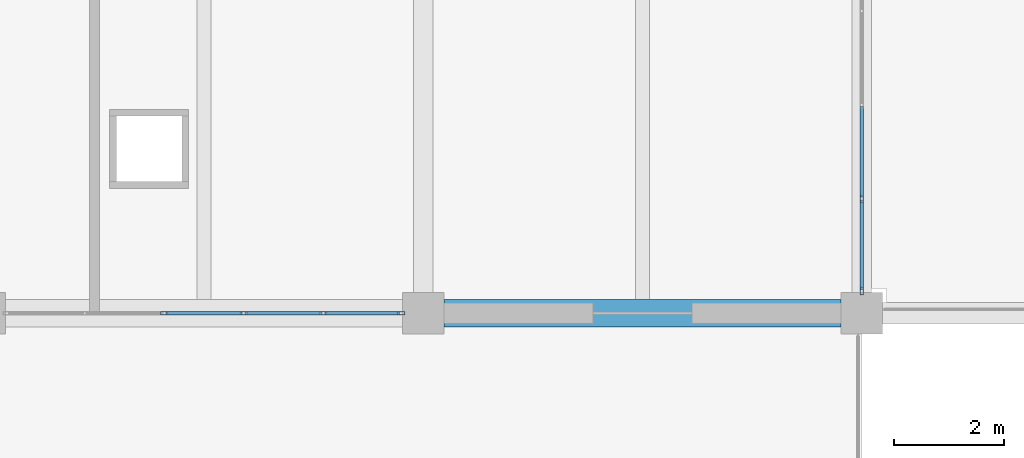
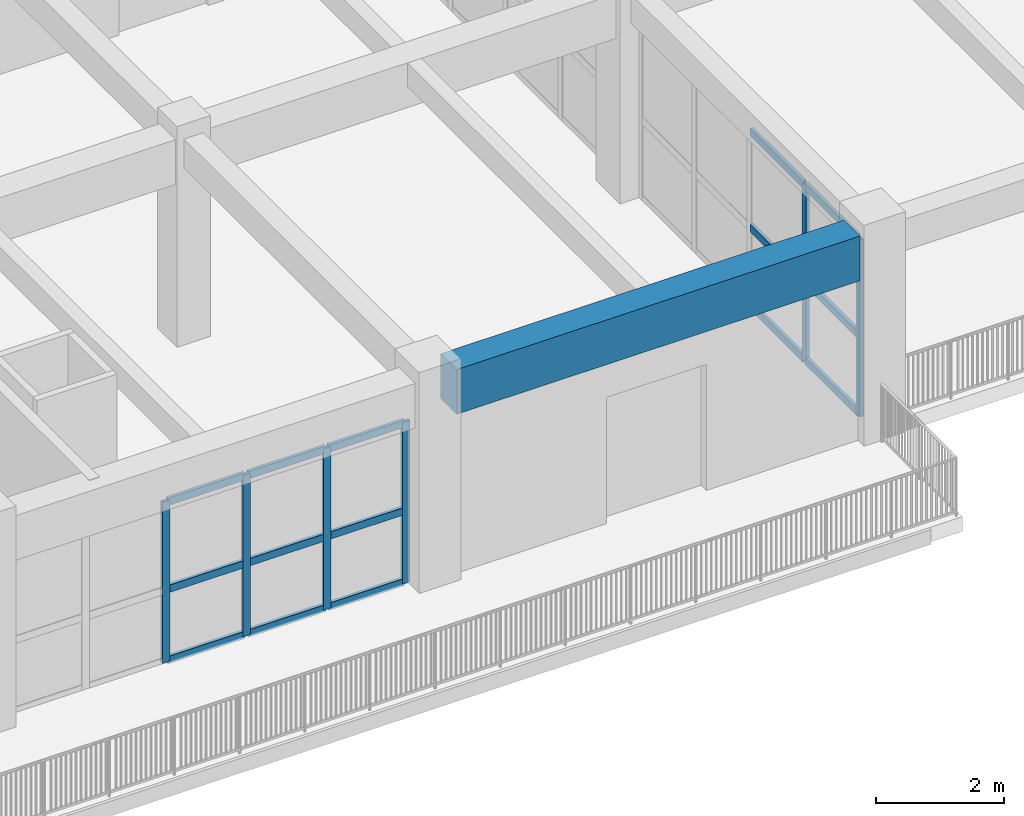
# One storey, part 17 of 63: 21 members, 1 beam, 2 elements without a shape of their own.
"""IFC4 building model written with IfcOpenShell, lengths in metres."""

from ifc_helpers import new_model, si_unit, direction, frame, origin, origin_2d, place, context, subcontext, project, spatial, rectangle, hollow_rectangle, extrude, material, material_profile, profile_set, type_object, element, aggregate, save


model = new_model("IFC4")

# Units and contexts
model_context = context("Model", 3, precision=1e-05, world=origin(), true_north=direction((0.0, 1.0)))
body_context = subcontext(model_context, "Body", "Model", "MODEL_VIEW")
ifc_project = project(units=[si_unit("LENGTHUNIT", "METRE"), si_unit("AREAUNIT", "SQUARE_METRE"), si_unit("VOLUMEUNIT", "CUBIC_METRE"), si_unit("PLANEANGLEUNIT", "RADIAN"), si_unit("MASSUNIT", "GRAM", prefix="KILO")], contexts=[model_context])

# Site, building, storey
site_placement = place(None, origin())
site = spatial("IfcSite", under=ifc_project, at=site_placement, CompositionType="ELEMENT")
building_placement = place(site_placement, origin())
building = spatial("IfcBuilding", under=site, at=building_placement, Name="Zantavel Square City Hall", CompositionType="ELEMENT")
storey_placement = place(building_placement, frame((0.0, 0.0, 14.699951171875)))
storey = spatial("IfcBuildingStorey", under=building, at=storey_placement, Name="L04", CompositionType="ELEMENT", Elevation=14.699951171875)

# Curtain wall, members
ifc_material_1 = material(Name="Anodised aluminium 6063-T6", Category="aluminium")
curtain_wall_type_1 = type_object("IfcCurtainWallType", Name="Curtain Wall TRV1 6850x3370", PredefinedType="USERDEFINED", material=ifc_material_1)
curtain_wall_1_placement = place(storey_placement, origin())
curtain_wall_1 = element("IfcCurtainWall", 1, at=curtain_wall_1_placement, inside=storey, type_object=curtain_wall_type_1, Name="L04 Glazed Curtain Wall CW-L04-114", ObjectType="GLAZED CURTAIN WALL", PredefinedType="USERDEFINED")
ifc_material_profile_1 = material_profile(ifc_material_1, hollow_rectangle(XDim=0.06005859375, YDim=0.135009765625, WallThickness=0.00390625, at=origin_2d()), Name="ALU 60x135x4")
ifc_profile_set_1 = profile_set([ifc_material_profile_1], Name="Anodised aluminium 6063-T6")
member_type_1 = type_object("IfcMemberType", Name="CW Mullion ALU 60x135x4", PredefinedType="MULLION", material=ifc_profile_set_1)
member_1_placement = place(storey_placement, frame((104.0, 32.487548828125, 0.0), z_axis=(0.0, 0.0, 1.0), x_axis=(1.0, 0.0, 0.0)))
member_1 = element("IfcMember", 2, at=member_1_placement, type_object=member_type_1, Name="CW-114 mullion 4", PredefinedType="MULLION", context=body_context, shape_type="SweptSolid", body=[
    extrude(hollow_rectangle(XDim=0.06005859375, YDim=0.135009765625, WallThickness=0.00390625, at=origin_2d()), origin(), (0.0, 0.0, 1.0), 3.3701171875),
])
member_2_placement = place(storey_placement, frame((104.0, 30.804931640625, 0.0), z_axis=(0.0, 0.0, 1.0), x_axis=(1.0, 0.0, 0.0)))
member_2 = element("IfcMember", 3, at=member_2_placement, type_object=member_type_1, Name="CW-114 mullion 5", PredefinedType="MULLION", context=body_context, shape_type="SweptSolid", body=[
    extrude(hollow_rectangle(XDim=0.06005859375, YDim=0.135009765625, WallThickness=0.00390625, at=origin_2d()), origin(), (0.0, 0.0, 1.0), 3.3701171875),
])

curtain_wall_type_2 = type_object("IfcCurtainWallType", Name="Curtain Wall TRV1 7250x3070", PredefinedType="USERDEFINED", material=ifc_material_1)
curtain_wall_2_placement = place(storey_placement, origin())
curtain_wall_2 = element("IfcCurtainWall", 4, at=curtain_wall_2_placement, inside=storey, type_object=curtain_wall_type_2, Name="L04 Glazed Curtain Wall CW-L04-115", ObjectType="GLAZED CURTAIN WALL", PredefinedType="USERDEFINED")
member_3_placement = place(storey_placement, frame((95.594970703125, 30.39990234375, 0.0), z_axis=(0.0, 0.0, 1.0), x_axis=(0.0, -1.0, 0.0)))
member_3 = element("IfcMember", 5, at=member_3_placement, type_object=member_type_1, Name="CW-115 mullion 1", PredefinedType="MULLION", context=body_context, shape_type="SweptSolid", body=[
    extrude(hollow_rectangle(XDim=0.06005859375, YDim=0.135009765625, WallThickness=0.00390625, at=origin_2d()), origin(), (0.0, 0.0, 1.0), 3.070068359375),
])
member_4_placement = place(storey_placement, frame((94.175048828125, 30.39990234375, 0.0), z_axis=(0.0, 0.0, 1.0), x_axis=(0.0, -1.0, 0.0)))
member_4 = element("IfcMember", 6, at=member_4_placement, type_object=member_type_1, Name="CW-115 mullion 2", PredefinedType="MULLION", context=body_context, shape_type="SweptSolid", body=[
    extrude(hollow_rectangle(XDim=0.06005859375, YDim=0.135009765625, WallThickness=0.00390625, at=origin_2d()), origin(), (0.0, 0.0, 1.0), 3.070068359375),
])
member_5_placement = place(storey_placement, frame((92.72509765625, 30.39990234375, 0.0), z_axis=(0.0, 0.0, 1.0), x_axis=(0.0, -1.0, 0.0)))
member_5 = element("IfcMember", 7, at=member_5_placement, type_object=member_type_1, Name="CW-115 mullion 3", PredefinedType="MULLION", context=body_context, shape_type="SweptSolid", body=[
    extrude(hollow_rectangle(XDim=0.06005859375, YDim=0.135009765625, WallThickness=0.00390625, at=origin_2d()), origin(), (0.0, 0.0, 1.0), 3.070068359375),
])
member_6_placement = place(storey_placement, frame((91.27490234375, 30.39990234375, 0.0), z_axis=(0.0, 0.0, 1.0), x_axis=(0.0, -1.0, 0.0)))
member_6 = element("IfcMember", 8, at=member_6_placement, type_object=member_type_1, Name="CW-115 mullion 4", PredefinedType="MULLION", context=body_context, shape_type="SweptSolid", body=[
    extrude(hollow_rectangle(XDim=0.06005859375, YDim=0.135009765625, WallThickness=0.00390625, at=origin_2d()), origin(), (0.0, 0.0, 1.0), 3.070068359375),
])

# Member
ifc_material_profile_2 = material_profile(ifc_material_1, hollow_rectangle(XDim=0.06005859375, YDim=0.139892578125, WallThickness=0.00390625, at=origin_2d()), Name="ALU 60x140x4")
ifc_profile_set_2 = profile_set([ifc_material_profile_2], Name="Anodised aluminium 6063-T6")
member_type_2 = type_object("IfcMemberType", Name="CW Transom ALU 60x140x4", PredefinedType="USERDEFINED", material=ifc_profile_set_2)
member_7_placement = place(storey_placement, frame((104.0, 34.169921875, 0.030029296875), z_axis=(0.0, -1.0, 0.0), x_axis=(1.0, 0.0, 0.0)))
member_7 = element("IfcMember", 9, at=member_7_placement, type_object=member_type_2, Name="CW-114 transom 3.1", ObjectType="TRANSOM", PredefinedType="USERDEFINED", context=body_context, shape_type="SweptSolid", body=[
    extrude(hollow_rectangle(XDim=0.06005859375, YDim=0.139892578125, WallThickness=0.00390625, at=origin_2d()), origin(), (0.0, 0.0, 1.0), 1.65234375),
])

member_8_placement = place(storey_placement, frame((104.0, 34.169921875, 1.51708984375), z_axis=(0.0, -1.0, 0.0), x_axis=(1.0, 0.0, 0.0)))
member_8 = element("IfcMember", 10, at=member_8_placement, type_object=member_type_2, Name="CW-114 transom 3.2", ObjectType="TRANSOM", PredefinedType="USERDEFINED", context=body_context, shape_type="SweptSolid", body=[
    extrude(hollow_rectangle(XDim=0.06005859375, YDim=0.139892578125, WallThickness=0.00390625, at=origin_2d()), origin(), (0.0, 0.0, 1.0), 1.65234375),
])

member_9_placement = place(storey_placement, frame((104.0, 34.169921875, 3.340087890625), z_axis=(0.0, -1.0, 0.0), x_axis=(1.0, 0.0, 0.0)))
member_9 = element("IfcMember", 11, at=member_9_placement, type_object=member_type_2, Name="CW-114 transom 3.3", ObjectType="TRANSOM", PredefinedType="USERDEFINED", context=body_context, shape_type="SweptSolid", body=[
    extrude(hollow_rectangle(XDim=0.06005859375, YDim=0.139892578125, WallThickness=0.00390625, at=origin_2d()), origin(), (0.0, 0.0, 1.0), 1.65234375),
])

member_10_placement = place(storey_placement, frame((104.0, 32.45751953125, 0.030029296875), z_axis=(0.0, -1.0, 0.0), x_axis=(1.0, 0.0, 0.0)))
member_10 = element("IfcMember", 12, at=member_10_placement, type_object=member_type_2, Name="CW-114 transom 4.1", ObjectType="TRANSOM", PredefinedType="USERDEFINED", context=body_context, shape_type="SweptSolid", body=[
    extrude(hollow_rectangle(XDim=0.06005859375, YDim=0.139892578125, WallThickness=0.00390625, at=origin_2d()), origin(), (0.0, 0.0, 1.0), 1.62255859375),
])

member_11_placement = place(storey_placement, frame((104.0, 32.45751953125, 1.51708984375), z_axis=(0.0, -1.0, 0.0), x_axis=(1.0, 0.0, 0.0)))
member_11 = element("IfcMember", 13, at=member_11_placement, type_object=member_type_2, Name="CW-114 transom 4.2", ObjectType="TRANSOM", PredefinedType="USERDEFINED", context=body_context, shape_type="SweptSolid", body=[
    extrude(hollow_rectangle(XDim=0.06005859375, YDim=0.139892578125, WallThickness=0.00390625, at=origin_2d()), origin(), (0.0, 0.0, 1.0), 1.62255859375),
])

member_12_placement = place(storey_placement, frame((104.0, 32.45751953125, 3.340087890625), z_axis=(0.0, -1.0, 0.0), x_axis=(1.0, 0.0, 0.0)))
member_12 = element("IfcMember", 14, at=member_12_placement, type_object=member_type_2, Name="CW-114 transom 4.3", ObjectType="TRANSOM", PredefinedType="USERDEFINED", context=body_context, shape_type="SweptSolid", body=[
    extrude(hollow_rectangle(XDim=0.06005859375, YDim=0.139892578125, WallThickness=0.00390625, at=origin_2d()), origin(), (0.0, 0.0, 1.0), 1.62255859375),
])

aggregate(curtain_wall_1, [member_1, member_2, member_7, member_8, member_9, member_10, member_11, member_12])

member_13_placement = place(storey_placement, frame((95.56494140625, 30.39990234375, 0.030029296875), z_axis=(-1.0, 0.0, 0.0), x_axis=(0.0, -1.0, 0.0)))
member_13 = element("IfcMember", 15, at=member_13_placement, type_object=member_type_2, Name="CW-115 transom 1.1", ObjectType="TRANSOM", PredefinedType="USERDEFINED", context=body_context, shape_type="SweptSolid", body=[
    extrude(hollow_rectangle(XDim=0.06005859375, YDim=0.139892578125, WallThickness=0.00390625, at=origin_2d()), origin(), (0.0, 0.0, 1.0), 1.35986328125),
])

member_14_placement = place(storey_placement, frame((95.56494140625, 30.39990234375, 1.381103515625), z_axis=(-1.0, 0.0, 0.0), x_axis=(0.0, -1.0, 0.0)))
member_14 = element("IfcMember", 16, at=member_14_placement, type_object=member_type_2, Name="CW-115 transom 1.2", ObjectType="TRANSOM", PredefinedType="USERDEFINED", context=body_context, shape_type="SweptSolid", body=[
    extrude(hollow_rectangle(XDim=0.06005859375, YDim=0.139892578125, WallThickness=0.00390625, at=origin_2d()), origin(), (0.0, 0.0, 1.0), 1.35986328125),
])

member_15_placement = place(storey_placement, frame((95.56494140625, 30.39990234375, 3.0400390625), z_axis=(-1.0, 0.0, 0.0), x_axis=(0.0, -1.0, 0.0)))
member_15 = element("IfcMember", 17, at=member_15_placement, type_object=member_type_2, Name="CW-115 transom 1.3", ObjectType="TRANSOM", PredefinedType="USERDEFINED", context=body_context, shape_type="SweptSolid", body=[
    extrude(hollow_rectangle(XDim=0.06005859375, YDim=0.139892578125, WallThickness=0.00390625, at=origin_2d()), origin(), (0.0, 0.0, 1.0), 1.35986328125),
])

member_16_placement = place(storey_placement, frame((94.14501953125, 30.39990234375, 0.030029296875), z_axis=(-1.0, 0.0, 0.0), x_axis=(0.0, -1.0, 0.0)))
member_16 = element("IfcMember", 18, at=member_16_placement, type_object=member_type_2, Name="CW-115 transom 2.1", ObjectType="TRANSOM", PredefinedType="USERDEFINED", context=body_context, shape_type="SweptSolid", body=[
    extrude(hollow_rectangle(XDim=0.06005859375, YDim=0.139892578125, WallThickness=0.00390625, at=origin_2d()), origin(), (0.0, 0.0, 1.0), 1.39013671875),
])

member_17_placement = place(storey_placement, frame((94.14501953125, 30.39990234375, 1.381103515625), z_axis=(-1.0, 0.0, 0.0), x_axis=(0.0, -1.0, 0.0)))
member_17 = element("IfcMember", 19, at=member_17_placement, type_object=member_type_2, Name="CW-115 transom 2.2", ObjectType="TRANSOM", PredefinedType="USERDEFINED", context=body_context, shape_type="SweptSolid", body=[
    extrude(hollow_rectangle(XDim=0.06005859375, YDim=0.139892578125, WallThickness=0.00390625, at=origin_2d()), origin(), (0.0, 0.0, 1.0), 1.39013671875),
])

member_18_placement = place(storey_placement, frame((94.14501953125, 30.39990234375, 3.0400390625), z_axis=(-1.0, 0.0, 0.0), x_axis=(0.0, -1.0, 0.0)))
member_18 = element("IfcMember", 20, at=member_18_placement, type_object=member_type_2, Name="CW-115 transom 2.3", ObjectType="TRANSOM", PredefinedType="USERDEFINED", context=body_context, shape_type="SweptSolid", body=[
    extrude(hollow_rectangle(XDim=0.06005859375, YDim=0.139892578125, WallThickness=0.00390625, at=origin_2d()), origin(), (0.0, 0.0, 1.0), 1.39013671875),
])

member_19_placement = place(storey_placement, frame((92.695068359375, 30.39990234375, 0.030029296875), z_axis=(-1.0, 0.0, 0.0), x_axis=(0.0, -1.0, 0.0)))
member_19 = element("IfcMember", 21, at=member_19_placement, type_object=member_type_2, Name="CW-115 transom 3.1", ObjectType="TRANSOM", PredefinedType="USERDEFINED", context=body_context, shape_type="SweptSolid", body=[
    extrude(hollow_rectangle(XDim=0.06005859375, YDim=0.139892578125, WallThickness=0.00390625, at=origin_2d()), origin(), (0.0, 0.0, 1.0), 1.39013671875),
])

member_20_placement = place(storey_placement, frame((92.695068359375, 30.39990234375, 1.381103515625), z_axis=(-1.0, 0.0, 0.0), x_axis=(0.0, -1.0, 0.0)))
member_20 = element("IfcMember", 22, at=member_20_placement, type_object=member_type_2, Name="CW-115 transom 3.2", ObjectType="TRANSOM", PredefinedType="USERDEFINED", context=body_context, shape_type="SweptSolid", body=[
    extrude(hollow_rectangle(XDim=0.06005859375, YDim=0.139892578125, WallThickness=0.00390625, at=origin_2d()), origin(), (0.0, 0.0, 1.0), 1.39013671875),
])

member_21_placement = place(storey_placement, frame((92.695068359375, 30.39990234375, 3.0400390625), z_axis=(-1.0, 0.0, 0.0), x_axis=(0.0, -1.0, 0.0)))
member_21 = element("IfcMember", 23, at=member_21_placement, type_object=member_type_2, Name="CW-115 transom 3.3", ObjectType="TRANSOM", PredefinedType="USERDEFINED", context=body_context, shape_type="SweptSolid", body=[
    extrude(hollow_rectangle(XDim=0.06005859375, YDim=0.139892578125, WallThickness=0.00390625, at=origin_2d()), origin(), (0.0, 0.0, 1.0), 1.39013671875),
])

aggregate(curtain_wall_2, [member_3, member_4, member_5, member_6, member_13, member_14, member_15, member_16, member_17, member_18, member_19, member_20, member_21])

# Beam
ifc_material_2 = material(Name="Concrete C40/50", Category="concrete")
ifc_material_profile_3 = material_profile(ifc_material_2, rectangle(XDim=0.5, YDim=0.85009765625, at=origin_2d()), Name="RC 500x850")
ifc_profile_set_3 = profile_set([ifc_material_profile_3], Name="Concrete C40/50")
beam_type = type_object("IfcBeamType", Name="Council Chamber Girder RC 500x850 C40/50", PredefinedType="BEAM", material=ifc_profile_set_3)
beam_placement = place(storey_placement, frame((96.375, 30.39990234375, 3.4951171875), z_axis=(1.0, 0.0, 0.0), x_axis=(0.0, 1.0, 0.0)))
element("IfcBeam", 24, at=beam_placement, inside=storey, type_object=beam_type, Name="L04 Girder BMX-L04-0960-0304", PredefinedType="BEAM", context=body_context, shape_type="SweptSolid", body=[
    extrude(rectangle(XDim=0.5, YDim=0.85009765625, at=origin_2d()), origin(), (0.0, 0.0, 1.0), 7.25),
])

save(model, "model.ifc")
